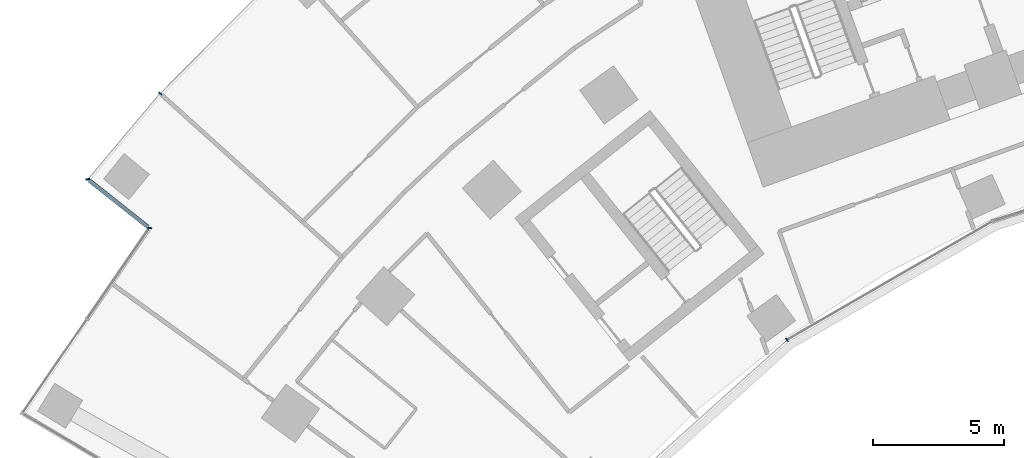
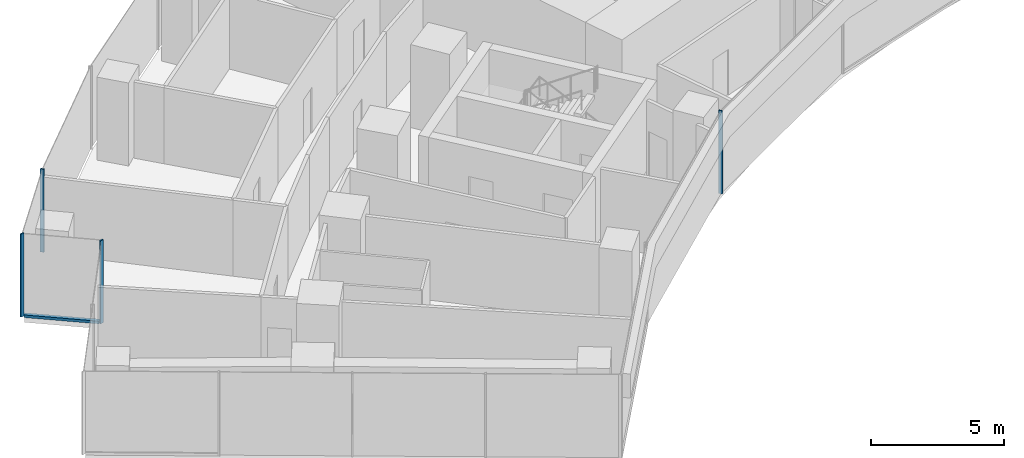
# One storey, part 3 of 21: 5 members, 4 elements without a shape of their own.
"""IFC4 building model written with IfcOpenShell, lengths in metres."""

from ifc_helpers import new_model, si_unit, direction, frame, origin, origin_2d, place, context, subcontext, project, spatial, rectangle, extrude, material, layer, layer_set, material_profile, profile_set, type_object, element, aggregate, save


model = new_model("IFC4")

# Units and contexts
model_context = context("Model", 3, precision=1e-05, world=origin(), true_north=direction((0.0, 1.0)))
body_context = subcontext(model_context, "Body", "Model", "MODEL_VIEW")
ifc_project = project(units=[si_unit("LENGTHUNIT", "METRE"), si_unit("AREAUNIT", "SQUARE_METRE"), si_unit("VOLUMEUNIT", "CUBIC_METRE"), si_unit("PLANEANGLEUNIT", "RADIAN"), si_unit("MASSUNIT", "GRAM", prefix="KILO")], contexts=[model_context])

# Site, building, storey
site_placement = place(None, origin())
site = spatial("IfcSite", under=ifc_project, at=site_placement, CompositionType="ELEMENT")
building_placement = place(site_placement, origin())
building = spatial("IfcBuilding", under=site, at=building_placement, Name="Stone Belt Terrace Tower", CompositionType="ELEMENT")
storey_placement = place(building_placement, frame((0.0, 0.0, 71.800048828125)))
storey = spatial("IfcBuildingStorey", under=building, at=storey_placement, Name="L17", CompositionType="ELEMENT", Elevation=71.800048828125)

# Curtain wall, member
ifc_material = material(Name="Aluminium 6063-T6 anodised frame", Category="aluminium")
ifc_layer_1 = layer(ifc_material, 0.14990234375)
ifc_layer_set_1 = layer_set([ifc_layer_1], Name="CW-A unitised convex-face curtain wall")
curtain_wall_type_1 = type_object("IfcCurtainWallType", Name="CW-A unitised convex-face curtain wall", PredefinedType="NOTDEFINED", material=ifc_layer_set_1)
curtain_wall_1_placement = place(storey_placement, origin())
curtain_wall_1 = element("IfcCurtainWall", 1, at=curtain_wall_1_placement, inside=storey, type_object=curtain_wall_type_1, Name="CW-A convex face L17", PredefinedType="NOTDEFINED")
ifc_material_profile_1 = material_profile(ifc_material, rectangle(XDim=0.14990234375, YDim=0.06005859375, at=origin_2d()), Name="Aluminium 6063-T6 60x150")
ifc_profile_set_1 = profile_set([ifc_material_profile_1], Name="Aluminium 6063-T6 anodised frame")
member_type_1 = type_object("IfcMemberType", Name="CW-A mullion 60 x 150", PredefinedType="MULLION", material=ifc_profile_set_1)
member_1_placement = place(storey_placement, frame((-49.474365234375, 44.548095703125, 0.0), z_axis=(0.0, 0.0, 1.0), x_axis=(0.73617076011, -0.676795842155, 0.0)))
member_1 = element("IfcMember", 2, at=member_1_placement, type_object=member_type_1, Name="CW-A mullion 17", PredefinedType="MULLION", context=body_context, shape_type="SweptSolid", body=[
    extrude(rectangle(XDim=0.14990234375, YDim=0.06005859375, at=origin_2d()), origin(), (0.0, 0.0, 1.0), 3.800048828125),
])
aggregate(curtain_wall_1, [member_1])

ifc_layer_2 = layer(ifc_material, 0.14990234375)
ifc_layer_set_2 = layer_set([ifc_layer_2], Name="CW-B unitised concave-face curtain wall")
curtain_wall_type_2 = type_object("IfcCurtainWallType", Name="CW-B unitised concave-face curtain wall", PredefinedType="NOTDEFINED", material=ifc_layer_set_2)
curtain_wall_2_placement = place(storey_placement, origin())
curtain_wall_2 = element("IfcCurtainWall", 3, at=curtain_wall_2_placement, inside=storey, type_object=curtain_wall_type_2, Name="CW-B concave face L17", PredefinedType="NOTDEFINED")
ifc_material_profile_2 = material_profile(ifc_material, rectangle(XDim=0.14990234375, YDim=0.050048828125, at=origin_2d()), Name="Aluminium 6063-T6 50x150")
ifc_profile_set_2 = profile_set([ifc_material_profile_2], Name="Aluminium 6063-T6 anodised frame")
member_type_2 = type_object("IfcMemberType", Name="CW-B mullion 50 x 150", PredefinedType="MULLION", material=ifc_profile_set_2)
member_2_placement = place(storey_placement, frame((-25.5244140625, 35.13134765625, 0.0), z_axis=(0.0, 0.0, 1.0), x_axis=(-0.587785252292, 0.809016994375, 0.0)))
member_2 = element("IfcMember", 4, at=member_2_placement, type_object=member_type_2, Name="CW-B mullion 3", PredefinedType="MULLION", context=body_context, shape_type="SweptSolid", body=[
    extrude(rectangle(XDim=0.14990234375, YDim=0.050048828125, at=origin_2d()), origin(), (0.0, 0.0, 1.0), 3.800048828125),
])
aggregate(curtain_wall_2, [member_2])

ifc_layer_3 = layer(ifc_material, 0.14990234375)
ifc_layer_set_3 = layer_set([ifc_layer_3], Name="CW-C stick curtain wall, horn ends and notches")
curtain_wall_type_3 = type_object("IfcCurtainWallType", Name="CW-C stick curtain wall, horn ends and notches", PredefinedType="NOTDEFINED", material=ifc_layer_set_3)
curtain_wall_3_placement = place(storey_placement, origin())
curtain_wall_3 = element("IfcCurtainWall", 5, at=curtain_wall_3_placement, inside=storey, type_object=curtain_wall_type_3, Name="CW-C notch face L17", PredefinedType="NOTDEFINED")
ifc_material_profile_3 = material_profile(ifc_material, rectangle(XDim=0.14990234375, YDim=0.06005859375, at=origin_2d()), Name="Aluminium 6063-T6 60x150")
ifc_profile_set_3 = profile_set([ifc_material_profile_3], Name="Aluminium 6063-T6 anodised frame")
member_type_3 = type_object("IfcMemberType", Name="CW-C mullion 60 x 150", PredefinedType="MULLION", material=ifc_profile_set_3)
member_3_placement = place(storey_placement, frame((-52.24072265625, 41.27294921875, 0.0), z_axis=(0.0, 0.0, 1.0), x_axis=(0.995023084308, 0.099644677203, 0.0)))
member_3 = element("IfcMember", 6, at=member_3_placement, type_object=member_type_3, Name="CW-C mullion 1", PredefinedType="MULLION", context=body_context, shape_type="SweptSolid", body=[
    extrude(rectangle(XDim=0.14990234375, YDim=0.06005859375, at=origin_2d()), origin(), (0.0, 0.0, 1.0), 3.800048828125),
])

curtain_wall_4_placement = place(storey_placement, origin())
curtain_wall_4 = element("IfcCurtainWall", 7, at=curtain_wall_4_placement, inside=storey, type_object=curtain_wall_type_3, Name="CW-C notch face L17", PredefinedType="NOTDEFINED")
member_4_placement = place(storey_placement, frame((-49.88330078125, 39.406005859375, 0.0), z_axis=(0.0, 0.0, 1.0), x_axis=(0.988851375203, 0.14890586879, 0.0)))
member_4 = element("IfcMember", 8, at=member_4_placement, type_object=member_type_3, Name="CW-C mullion 1", PredefinedType="MULLION", context=body_context, shape_type="SweptSolid", body=[
    extrude(rectangle(XDim=0.14990234375, YDim=0.06005859375, at=origin_2d()), origin(), (0.0, 0.0, 1.0), 3.800048828125),
])
aggregate(curtain_wall_4, [member_4])

# Member
ifc_material_profile_4 = material_profile(ifc_material, rectangle(XDim=0.14990234375, YDim=0.1201171875, at=origin_2d()), Name="Aluminium 6063-T6 150x120")
ifc_profile_set_4 = profile_set([ifc_material_profile_4], Name="Aluminium 6063-T6 anodised frame")
member_type_4 = type_object("IfcMemberType", Name="CW-C transom 120 x 150", PredefinedType="USERDEFINED", material=ifc_profile_set_4)
member_5_placement = place(storey_placement, frame((-52.18212890625, 41.2265625, 0.06005859375), z_axis=(0.783966177893, -0.620803537297, 0.0), x_axis=(0.620803537297, 0.783966177893, 0.0)))
member_5 = element("IfcMember", 9, at=member_5_placement, type_object=member_type_4, Name="CW-C transom 1.1", ObjectType="TRANSOM", PredefinedType="USERDEFINED", context=body_context, shape_type="SweptSolid", body=[
    extrude(rectangle(XDim=0.14990234375, YDim=0.1201171875, at=origin_2d()), origin(), (0.0, 0.0, 1.0), 2.859375),
])

aggregate(curtain_wall_3, [member_3, member_5])

save(model, "model.ifc")
